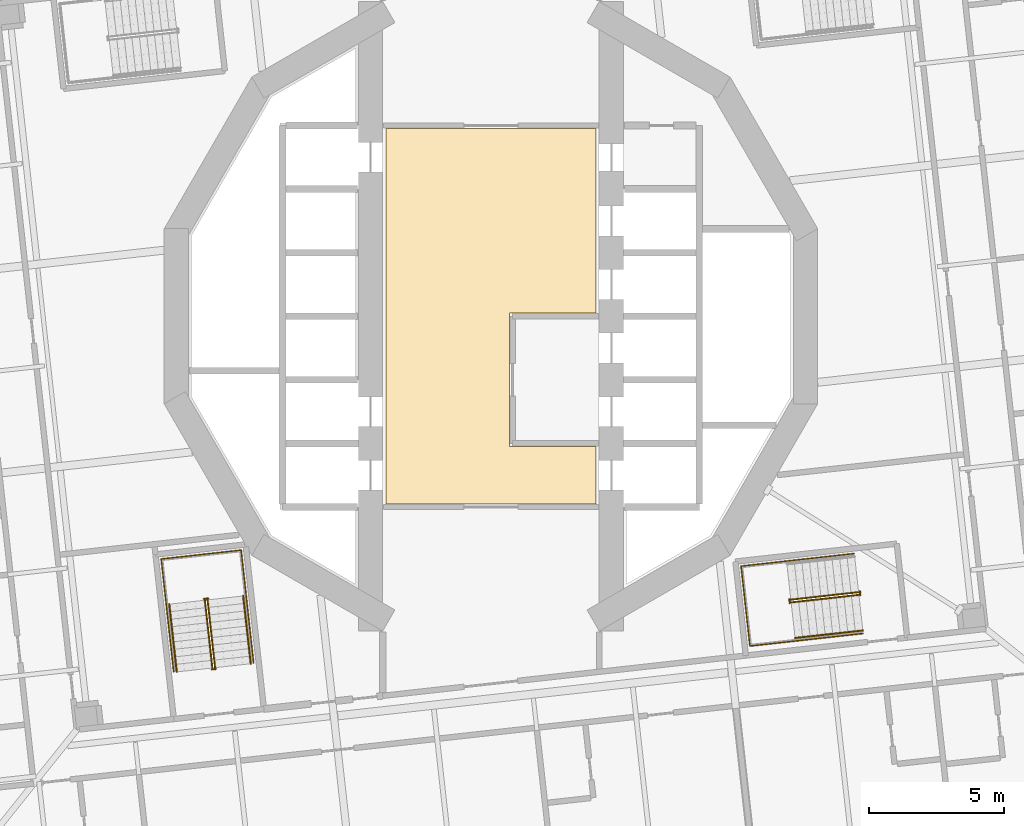
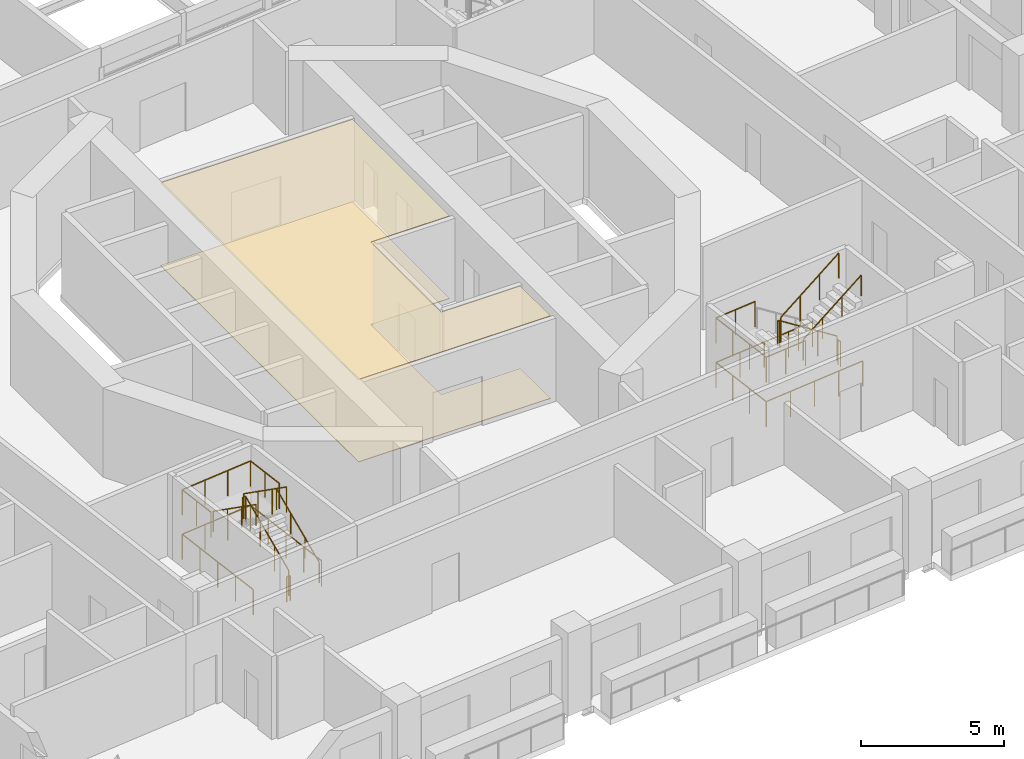
# One storey, part 16 of 20: 13 railings, 2 coverings.
"""IFC4 building model written with IfcOpenShell, lengths in metres."""

from ifc_helpers import new_model, si_unit, direction, frame, origin, origin_2d, place, context, subcontext, project, spatial, polyline, circle, outline, extrude, material, layer, layer_set, type_object, element, save


model = new_model("IFC4")

# Units and contexts
model_context = context("Model", 3, precision=1e-05, world=origin(), true_north=direction((0.0, 1.0)))
body_context = subcontext(model_context, "Body", "Model", "MODEL_VIEW")
ifc_project = project(units=[si_unit("LENGTHUNIT", "METRE"), si_unit("AREAUNIT", "SQUARE_METRE"), si_unit("VOLUMEUNIT", "CUBIC_METRE"), si_unit("PLANEANGLEUNIT", "RADIAN"), si_unit("MASSUNIT", "GRAM", prefix="KILO")], contexts=[model_context])

# Site, building, storey
site_placement = place(None, origin())
site = spatial("IfcSite", under=ifc_project, at=site_placement, CompositionType="ELEMENT")
building_placement = place(site_placement, origin())
building = spatial("IfcBuilding", under=site, at=building_placement, Name="Cantera Rosa Tower", CompositionType="ELEMENT")
storey_placement = place(building_placement, frame((0.0, 0.0, 50.10009765625)))
storey = spatial("IfcBuildingStorey", under=building, at=storey_placement, Name="L09", CompositionType="ELEMENT", Elevation=50.10009765625)

# Railings
ifc_material_1 = material(Name="Steel S355J2 (EN 10025-2)", Category="steel")
railing_type_1 = type_object("IfcRailingType", Name="STAIR GUARD 1100", PredefinedType="GUARDRAIL", material=ifc_material_1)
railing_1_placement = place(storey_placement, frame((-10.19677734375, -12.986083984375, 0.18994140625)))
element("IfcRailing", 1, at=railing_1_placement, inside=storey, type_object=railing_type_1, Name="L09 ST-13 stair guard 1", PredefinedType="GUARDRAIL", context=body_context, shape_type="SweptSolid", body=[
    extrude(circle(Radius=0.02392578125, at=origin_2d()), frame((0.0, 0.0, 1.076171875), z_axis=(-0.091310000343, 0.822431337597, 0.561488360321), x_axis=(-0.993893182753, -0.110346460196, 0.0)), (0.0, 0.0, 1.0), 3.04541015625),
    extrude(circle(Radius=0.02392578125, at=origin_2d()), frame((-0.278076171875, 2.504638671875, 2.7861328125), z_axis=(0.360141847183, 0.932897555956, 0.0), x_axis=(-0.932897555956, 0.360141847183, 0.0)), (0.0, 0.0, 1.0), 0.05615234375),
    extrude(circle(Radius=0.02392578125, at=origin_2d()), frame((-0.2578125, 2.55712890625, 2.7861328125), z_axis=(-0.994022053584, -0.109179471459, 0.0), x_axis=(0.109179471459, -0.994022053584, 0.0)), (0.0, 0.0, 1.0), 0.14990234375),
    extrude(circle(Radius=0.02099609375, at=origin_2d()), origin(), (0.0, 0.0, 1.0), 1.052001953125),
    extrude(circle(Radius=0.02099609375, at=origin_2d()), frame((-0.0927734375, 0.8349609375, 0.570068359375)), (0.0, 0.0, 1.0), 1.052001953125),
    extrude(circle(Radius=0.02099609375, at=origin_2d()), frame((-0.185302734375, 1.669677734375, 1.139892578125)), (0.0, 0.0, 1.0), 1.052001953125),
    extrude(circle(Radius=0.02099609375, at=origin_2d()), frame((-0.278076171875, 2.504638671875, 1.7099609375)), (0.0, 0.0, 1.0), 1.052001953125),
    extrude(circle(Radius=0.02099609375, at=origin_2d()), frame((-0.2578125, 2.55712890625, 1.7099609375)), (0.0, 0.0, 1.0), 1.052001953125),
    extrude(circle(Radius=0.02099609375, at=origin_2d()), frame((-0.40673828125, 2.540771484375, 1.7099609375)), (0.0, 0.0, 1.0), 1.052001953125),
])
railing_2_placement = place(storey_placement, frame((-10.572265625, -10.4921875, 2.08984375)))
element("IfcRailing", 2, at=railing_2_placement, inside=storey, type_object=railing_type_1, Name="L09 ST-13 stair guard 2", PredefinedType="GUARDRAIL", context=body_context, shape_type="SweptSolid", body=[
    extrude(circle(Radius=0.02392578125, at=origin_2d()), frame((0.0, 0.0, 1.076171875), z_axis=(0.091310000343, -0.822431337597, 0.561488360321), x_axis=(0.993893182753, 0.110346460196, 0.0)), (0.0, 0.0, 1.0), 3.04541015625),
    extrude(circle(Radius=0.02099609375, at=origin_2d()), origin(), (0.0, 0.0, 1.0), 1.052001953125),
    extrude(circle(Radius=0.02099609375, at=origin_2d()), frame((0.0927734375, -0.8349609375, 0.570068359375)), (0.0, 0.0, 1.0), 1.052001953125),
    extrude(circle(Radius=0.02099609375, at=origin_2d()), frame((0.185302734375, -1.669677734375, 1.139892578125)), (0.0, 0.0, 1.0), 1.052001953125),
    extrude(circle(Radius=0.02099609375, at=origin_2d()), frame((0.278076171875, -2.504638671875, 1.7099609375)), (0.0, 0.0, 1.0), 1.052001953125),
])
railing_3_placement = place(storey_placement, frame((-10.16552734375, -13.032958984375, 0.0)))
element("IfcRailing", 3, at=railing_3_placement, inside=storey, type_object=railing_type_1, Name="L09 ST-13 stair guard 3", PredefinedType="GUARDRAIL", context=body_context, shape_type="SweptSolid", body=[
    extrude(circle(Radius=0.02392578125, at=origin_2d()), frame((0.0, 0.0, 1.076171875), z_axis=(-0.994041430915, -0.1090029065, 0.0), x_axis=(0.1090029065, -0.994041430915, 0.0)), (0.0, 0.0, 1.0), 0.150146484375),
    extrude(circle(Radius=0.02099609375, at=origin_2d()), origin(), (0.0, 0.0, 1.0), 1.052001953125),
    extrude(circle(Radius=0.02099609375, at=origin_2d()), frame((-0.149169921875, -0.016357421875, 0.0)), (0.0, 0.0, 1.0), 1.052001953125),
])
railing_4_placement = place(storey_placement, frame((-8.77099609375, -12.815673828125, 0.0)))
element("IfcRailing", 4, at=railing_4_placement, inside=storey, type_object=railing_type_1, Name="L09 ST-13 stair guard 4", PredefinedType="GUARDRAIL", context=body_context, shape_type="SweptSolid", body=[
    extrude(circle(Radius=0.02392578125, at=origin_2d()), frame((0.0, 0.0, 1.076171875), z_axis=(-0.110323013767, 0.9938957856, 0.0), x_axis=(-0.9938957856, -0.110323013767, 0.0)), (0.0, 0.0, 1.0), 4.197998046875),
    extrude(circle(Radius=0.02392578125, at=origin_2d()), frame((-0.463134765625, 4.17236328125, 1.076171875), z_axis=(-0.993896759678, -0.110314237986, 0.0), x_axis=(0.110314237986, -0.993896759678, 0.0)), (0.0, 0.0, 1.0), 2.969970703125),
    extrude(circle(Radius=0.02392578125, at=origin_2d()), frame((-3.4150390625, 3.8447265625, 1.076171875), z_axis=(0.110323013767, -0.9938957856, 0.0), x_axis=(0.9938957856, 0.110323013767, 0.0)), (0.0, 0.0, 1.0), 4.197998046875),
    extrude(circle(Radius=0.02099609375, at=origin_2d()), origin(), (0.0, 0.0, 1.0), 1.052001953125),
    extrude(circle(Radius=0.02099609375, at=origin_2d()), frame((-0.11572265625, 1.04296875, 0.0)), (0.0, 0.0, 1.0), 1.052001953125),
    extrude(circle(Radius=0.02099609375, at=origin_2d()), frame((-0.2314453125, 2.086181640625, 0.0)), (0.0, 0.0, 1.0), 1.052001953125),
    extrude(circle(Radius=0.02099609375, at=origin_2d()), frame((-0.347412109375, 3.12939453125, 0.0)), (0.0, 0.0, 1.0), 1.052001953125),
    extrude(circle(Radius=0.02099609375, at=origin_2d()), frame((-0.463134765625, 4.17236328125, 0.0)), (0.0, 0.0, 1.0), 1.052001953125),
    extrude(circle(Radius=0.02099609375, at=origin_2d()), frame((-1.447021484375, 4.063232421875, 0.0)), (0.0, 0.0, 1.0), 1.052001953125),
    extrude(circle(Radius=0.02099609375, at=origin_2d()), frame((-2.43115234375, 3.953857421875, 0.0)), (0.0, 0.0, 1.0), 1.052001953125),
    extrude(circle(Radius=0.02099609375, at=origin_2d()), frame((-3.4150390625, 3.8447265625, 0.0)), (0.0, 0.0, 1.0), 1.052001953125),
    extrude(circle(Radius=0.02099609375, at=origin_2d()), frame((-3.29931640625, 2.8017578125, 0.0)), (0.0, 0.0, 1.0), 1.052001953125),
    extrude(circle(Radius=0.02099609375, at=origin_2d()), frame((-3.18359375, 1.758544921875, 0.0)), (0.0, 0.0, 1.0), 1.052001953125),
    extrude(circle(Radius=0.02099609375, at=origin_2d()), frame((-3.067626953125, 0.71533203125, 0.0)), (0.0, 0.0, 1.0), 1.052001953125),
    extrude(circle(Radius=0.02099609375, at=origin_2d()), frame((-2.951904296875, -0.32763671875, 0.0)), (0.0, 0.0, 1.0), 1.052001953125),
])
railing_5_placement = place(storey_placement, frame((-9.04638671875, -10.3349609375, 1.89990234375)))
element("IfcRailing", 5, at=railing_5_placement, inside=storey, type_object=railing_type_1, Name="L09 ST-13 stair guard 5", PredefinedType="GUARDRAIL", context=body_context, shape_type="SweptSolid", body=[
    extrude(circle(Radius=0.02392578125, at=origin_2d()), frame((0.0, 0.0, 1.076171875), z_axis=(-0.110305577623, 0.993897720867, 0.0), x_axis=(-0.993897720867, -0.110305577623, 0.0)), (0.0, 0.0, 1.0), 1.7021484375),
    extrude(circle(Radius=0.02392578125, at=origin_2d()), frame((-0.187744140625, 1.691650390625, 1.076171875), z_axis=(-0.993896759678, -0.110314237986, 0.0), x_axis=(0.110314237986, -0.993896759678, 0.0)), (0.0, 0.0, 1.0), 2.969970703125),
    extrude(circle(Radius=0.02392578125, at=origin_2d()), frame((-3.1396484375, 1.364013671875, 1.076171875), z_axis=(0.110447269257, -0.993881985305, 0.0), x_axis=(0.993881985305, 0.110447269257, 0.0)), (0.0, 0.0, 1.0), 1.7021484375),
    extrude(circle(Radius=0.02099609375, at=origin_2d()), origin(), (0.0, 0.0, 1.0), 1.052001953125),
    extrude(circle(Radius=0.02099609375, at=origin_2d()), frame((-0.09375, 0.845703125, 0.0)), (0.0, 0.0, 1.0), 1.052001953125),
    extrude(circle(Radius=0.02099609375, at=origin_2d()), frame((-0.187744140625, 1.691650390625, 0.0)), (0.0, 0.0, 1.0), 1.052001953125),
    extrude(circle(Radius=0.02099609375, at=origin_2d()), frame((-1.171630859375, 1.58251953125, 0.0)), (0.0, 0.0, 1.0), 1.052001953125),
    extrude(circle(Radius=0.02099609375, at=origin_2d()), frame((-2.15576171875, 1.47314453125, 0.0)), (0.0, 0.0, 1.0), 1.052001953125),
    extrude(circle(Radius=0.02099609375, at=origin_2d()), frame((-3.1396484375, 1.364013671875, 0.0)), (0.0, 0.0, 1.0), 1.052001953125),
    extrude(circle(Radius=0.02099609375, at=origin_2d()), frame((-3.045654296875, 0.51806640625, 0.0)), (0.0, 0.0, 1.0), 1.052001953125),
    extrude(circle(Radius=0.02099609375, at=origin_2d()), frame((-2.95166015625, -0.32763671875, 0.0)), (0.0, 0.0, 1.0), 1.052001953125),
])
railing_6_placement = place(storey_placement, frame((13.5859375, -10.19677734375, 0.18994140625)))
element("IfcRailing", 6, at=railing_6_placement, inside=storey, type_object=railing_type_1, Name="L09 ST-14 stair guard 1", PredefinedType="GUARDRAIL", context=body_context, shape_type="SweptSolid", body=[
    extrude(circle(Radius=0.02392578125, at=origin_2d()), frame((0.0, 0.0, 1.076171875), z_axis=(-0.822405392514, -0.091316020869, 0.561525382059), x_axis=(0.110357086308, -0.993892002937, 0.0)), (0.0, 0.0, 1.0), 3.045166015625),
    extrude(circle(Radius=0.02392578125, at=origin_2d()), frame((-2.50439453125, -0.278076171875, 2.7861328125), z_axis=(-0.933456941688, 0.358689472963, 0.0), x_axis=(-0.358689472963, -0.933456941688, 0.0)), (0.0, 0.0, 1.0), 0.056396484375),
    extrude(circle(Radius=0.02392578125, at=origin_2d()), frame((-2.55712890625, -0.2578125, 2.7861328125), z_axis=(0.110789159685, -0.993843932464, 0.0), x_axis=(0.993843932464, 0.110789159685, 0.0)), (0.0, 0.0, 1.0), 0.14990234375),
    extrude(circle(Radius=0.02099609375, at=origin_2d()), origin(), (0.0, 0.0, 1.0), 1.052001953125),
    extrude(circle(Radius=0.02099609375, at=origin_2d()), frame((-0.834716796875, -0.0927734375, 0.570068359375)), (0.0, 0.0, 1.0), 1.052001953125),
    extrude(circle(Radius=0.02099609375, at=origin_2d()), frame((-1.669677734375, -0.185302734375, 1.139892578125)), (0.0, 0.0, 1.0), 1.052001953125),
    extrude(circle(Radius=0.02099609375, at=origin_2d()), frame((-2.50439453125, -0.278076171875, 1.7099609375)), (0.0, 0.0, 1.0), 1.052001953125),
    extrude(circle(Radius=0.02099609375, at=origin_2d()), frame((-2.55712890625, -0.2578125, 1.7099609375)), (0.0, 0.0, 1.0), 1.052001953125),
    extrude(circle(Radius=0.02099609375, at=origin_2d()), frame((-2.54052734375, -0.40673828125, 1.7099609375)), (0.0, 0.0, 1.0), 1.052001953125),
])
railing_7_placement = place(storey_placement, frame((11.09228515625, -10.572265625, 2.08984375)))
element("IfcRailing", 7, at=railing_7_placement, inside=storey, type_object=railing_type_1, Name="L09 ST-14 stair guard 2", PredefinedType="GUARDRAIL", context=body_context, shape_type="SweptSolid", body=[
    extrude(circle(Radius=0.02392578125, at=origin_2d()), frame((0.0, 0.0, 1.076171875), z_axis=(0.822431337597, 0.091310000343, 0.561488360321), x_axis=(-0.110346460196, 0.993893182753, 0.0)), (0.0, 0.0, 1.0), 3.04541015625),
    extrude(circle(Radius=0.02099609375, at=origin_2d()), origin(), (0.0, 0.0, 1.0), 1.052001953125),
    extrude(circle(Radius=0.02099609375, at=origin_2d()), frame((0.8349609375, 0.0927734375, 0.570068359375)), (0.0, 0.0, 1.0), 1.052001953125),
    extrude(circle(Radius=0.02099609375, at=origin_2d()), frame((1.669677734375, 0.185302734375, 1.139892578125)), (0.0, 0.0, 1.0), 1.052001953125),
    extrude(circle(Radius=0.02099609375, at=origin_2d()), frame((2.504638671875, 0.278076171875, 1.7099609375)), (0.0, 0.0, 1.0), 1.052001953125),
])
railing_8_placement = place(storey_placement, frame((13.6328125, -10.16552734375, 0.0)))
element("IfcRailing", 8, at=railing_8_placement, inside=storey, type_object=railing_type_1, Name="L09 ST-14 stair guard 3", PredefinedType="GUARDRAIL", context=body_context, shape_type="SweptSolid", body=[
    extrude(circle(Radius=0.02392578125, at=origin_2d()), frame((0.0, 0.0, 1.076171875), z_axis=(0.110610055588, -0.993863881828, 0.0), x_axis=(0.993863881828, 0.110610055588, 0.0)), (0.0, 0.0, 1.0), 0.150146484375),
    extrude(circle(Radius=0.02099609375, at=origin_2d()), origin(), (0.0, 0.0, 1.0), 1.052001953125),
    extrude(circle(Radius=0.02099609375, at=origin_2d()), frame((0.0166015625, -0.149169921875, 0.0)), (0.0, 0.0, 1.0), 1.052001953125),
])
railing_9_placement = place(storey_placement, frame((13.415771484375, -8.77099609375, 0.0)))
element("IfcRailing", 9, at=railing_9_placement, inside=storey, type_object=railing_type_1, Name="L09 ST-14 stair guard 4", PredefinedType="GUARDRAIL", context=body_context, shape_type="SweptSolid", body=[
    extrude(circle(Radius=0.02392578125, at=origin_2d()), frame((0.0, 0.0, 1.076171875), z_axis=(-0.9938957856, -0.110323013767, 0.0), x_axis=(0.110323013767, -0.9938957856, 0.0)), (0.0, 0.0, 1.0), 4.197998046875),
    extrude(circle(Radius=0.02392578125, at=origin_2d()), frame((-4.17236328125, -0.463134765625, 1.076171875), z_axis=(0.110314237986, -0.993896759678, 0.0), x_axis=(0.993896759678, 0.110314237986, 0.0)), (0.0, 0.0, 1.0), 2.969970703125),
    extrude(circle(Radius=0.02392578125, at=origin_2d()), frame((-3.8447265625, -3.4150390625, 1.076171875), z_axis=(0.9938957856, 0.110323013767, 0.0), x_axis=(-0.110323013767, 0.9938957856, 0.0)), (0.0, 0.0, 1.0), 4.197998046875),
    extrude(circle(Radius=0.02099609375, at=origin_2d()), origin(), (0.0, 0.0, 1.0), 1.052001953125),
    extrude(circle(Radius=0.02099609375, at=origin_2d()), frame((-1.04296875, -0.11572265625, 0.0)), (0.0, 0.0, 1.0), 1.052001953125),
    extrude(circle(Radius=0.02099609375, at=origin_2d()), frame((-2.086181640625, -0.2314453125, 0.0)), (0.0, 0.0, 1.0), 1.052001953125),
    extrude(circle(Radius=0.02099609375, at=origin_2d()), frame((-3.12939453125, -0.347412109375, 0.0)), (0.0, 0.0, 1.0), 1.052001953125),
    extrude(circle(Radius=0.02099609375, at=origin_2d()), frame((-4.17236328125, -0.463134765625, 0.0)), (0.0, 0.0, 1.0), 1.052001953125),
    extrude(circle(Radius=0.02099609375, at=origin_2d()), frame((-4.063232421875, -1.447021484375, 0.0)), (0.0, 0.0, 1.0), 1.052001953125),
    extrude(circle(Radius=0.02099609375, at=origin_2d()), frame((-3.953857421875, -2.43115234375, 0.0)), (0.0, 0.0, 1.0), 1.052001953125),
    extrude(circle(Radius=0.02099609375, at=origin_2d()), frame((-3.8447265625, -3.4150390625, 0.0)), (0.0, 0.0, 1.0), 1.052001953125),
    extrude(circle(Radius=0.02099609375, at=origin_2d()), frame((-2.8017578125, -3.29931640625, 0.0)), (0.0, 0.0, 1.0), 1.052001953125),
    extrude(circle(Radius=0.02099609375, at=origin_2d()), frame((-1.758544921875, -3.18359375, 0.0)), (0.0, 0.0, 1.0), 1.052001953125),
    extrude(circle(Radius=0.02099609375, at=origin_2d()), frame((-0.71533203125, -3.067626953125, 0.0)), (0.0, 0.0, 1.0), 1.052001953125),
    extrude(circle(Radius=0.02099609375, at=origin_2d()), frame((0.32763671875, -2.951904296875, 0.0)), (0.0, 0.0, 1.0), 1.052001953125),
])
railing_10_placement = place(storey_placement, frame((10.93505859375, -9.04638671875, 1.89990234375)))
element("IfcRailing", 10, at=railing_10_placement, inside=storey, type_object=railing_type_1, Name="L09 ST-14 stair guard 5", PredefinedType="GUARDRAIL", context=body_context, shape_type="SweptSolid", body=[
    extrude(circle(Radius=0.02392578125, at=origin_2d()), frame((0.0, 0.0, 1.076171875), z_axis=(-0.993897720867, -0.110305577623, 0.0), x_axis=(0.110305577623, -0.993897720867, 0.0)), (0.0, 0.0, 1.0), 1.7021484375),
    extrude(circle(Radius=0.02392578125, at=origin_2d()), frame((-1.691650390625, -0.187744140625, 1.076171875), z_axis=(0.110314237986, -0.993896759678, 0.0), x_axis=(0.993896759678, 0.110314237986, 0.0)), (0.0, 0.0, 1.0), 2.969970703125),
    extrude(circle(Radius=0.02392578125, at=origin_2d()), frame((-1.364013671875, -3.1396484375, 1.076171875), z_axis=(0.993881985305, 0.110447269257, 0.0), x_axis=(-0.110447269257, 0.993881985305, 0.0)), (0.0, 0.0, 1.0), 1.7021484375),
    extrude(circle(Radius=0.02099609375, at=origin_2d()), origin(), (0.0, 0.0, 1.0), 1.052001953125),
    extrude(circle(Radius=0.02099609375, at=origin_2d()), frame((-0.845703125, -0.09375, 0.0)), (0.0, 0.0, 1.0), 1.052001953125),
    extrude(circle(Radius=0.02099609375, at=origin_2d()), frame((-1.691650390625, -0.187744140625, 0.0)), (0.0, 0.0, 1.0), 1.052001953125),
    extrude(circle(Radius=0.02099609375, at=origin_2d()), frame((-1.58251953125, -1.171630859375, 0.0)), (0.0, 0.0, 1.0), 1.052001953125),
    extrude(circle(Radius=0.02099609375, at=origin_2d()), frame((-1.47314453125, -2.15576171875, 0.0)), (0.0, 0.0, 1.0), 1.052001953125),
    extrude(circle(Radius=0.02099609375, at=origin_2d()), frame((-1.364013671875, -3.1396484375, 0.0)), (0.0, 0.0, 1.0), 1.052001953125),
    extrude(circle(Radius=0.02099609375, at=origin_2d()), frame((-0.51806640625, -3.045654296875, 0.0)), (0.0, 0.0, 1.0), 1.052001953125),
    extrude(circle(Radius=0.02099609375, at=origin_2d()), frame((0.32763671875, -2.95166015625, 0.0)), (0.0, 0.0, 1.0), 1.052001953125),
])
ifc_material_2 = material(Name="Steel S355J2 (EN 10025-2)", Category="steel")
railing_type_2 = type_object("IfcRailingType", Name="STAIR HANDRAIL 900", PredefinedType="HANDRAIL", material=ifc_material_2)
railing_11_placement = place(storey_placement, frame((-8.87890625, -12.83984375, 0.18994140625)))
element("IfcRailing", 11, at=railing_11_placement, inside=storey, type_object=railing_type_2, Name="L09 ST-13 stair handrail 1", PredefinedType="HANDRAIL", context=body_context, shape_type="SweptSolid", body=[
    extrude(circle(Radius=0.02392578125, at=origin_2d()), frame((0.0, 0.0, 0.8759765625), z_axis=(-0.091310000343, 0.822431337597, 0.561488360321), x_axis=(-0.993893182753, -0.110346460196, 0.0)), (0.0, 0.0, 1.0), 3.04541015625),
    extrude(circle(Radius=0.02099609375, at=origin_2d()), origin(), (0.0, 0.0, 1.0), 0.851806640625),
    extrude(circle(Radius=0.02099609375, at=origin_2d()), frame((-0.0927734375, 0.8349609375, 0.570068359375)), (0.0, 0.0, 1.0), 0.851806640625),
    extrude(circle(Radius=0.02099609375, at=origin_2d()), frame((-0.185302734375, 1.669677734375, 1.139892578125)), (0.0, 0.0, 1.0), 0.851806640625),
    extrude(circle(Radius=0.02099609375, at=origin_2d()), frame((-0.278076171875, 2.504638671875, 1.7099609375)), (0.0, 0.0, 1.0), 0.851806640625),
])
railing_12_placement = place(storey_placement, frame((-11.89013671875, -10.638427734375, 2.08984375)))
element("IfcRailing", 12, at=railing_12_placement, inside=storey, type_object=railing_type_2, Name="L09 ST-13 stair handrail 2", PredefinedType="HANDRAIL", context=body_context, shape_type="SweptSolid", body=[
    extrude(circle(Radius=0.02392578125, at=origin_2d()), frame((0.0, 0.0, 0.8759765625), z_axis=(0.091310000343, -0.822431337597, 0.561488360321), x_axis=(0.993893182753, 0.110346460196, 0.0)), (0.0, 0.0, 1.0), 3.04541015625),
    extrude(circle(Radius=0.02099609375, at=origin_2d()), origin(), (0.0, 0.0, 1.0), 0.851806640625),
    extrude(circle(Radius=0.02099609375, at=origin_2d()), frame((0.0927734375, -0.8349609375, 0.570068359375)), (0.0, 0.0, 1.0), 0.851806640625),
    extrude(circle(Radius=0.02099609375, at=origin_2d()), frame((0.185302734375, -1.669677734375, 1.139892578125)), (0.0, 0.0, 1.0), 0.851806640625),
    extrude(circle(Radius=0.02099609375, at=origin_2d()), frame((0.278076171875, -2.504638671875, 1.7099609375)), (0.0, 0.0, 1.0), 0.851806640625),
])
railing_13_placement = place(storey_placement, frame((11.238525390625, -11.89013671875, 2.08984375)))
element("IfcRailing", 13, at=railing_13_placement, inside=storey, type_object=railing_type_2, Name="L09 ST-14 stair handrail 2", PredefinedType="HANDRAIL", context=body_context, shape_type="SweptSolid", body=[
    extrude(circle(Radius=0.02392578125, at=origin_2d()), frame((0.0, 0.0, 0.8759765625), z_axis=(0.822431337597, 0.091310000343, 0.561488360321), x_axis=(-0.110346460196, 0.993893182753, 0.0)), (0.0, 0.0, 1.0), 3.04541015625),
    extrude(circle(Radius=0.02099609375, at=origin_2d()), origin(), (0.0, 0.0, 1.0), 0.851806640625),
    extrude(circle(Radius=0.02099609375, at=origin_2d()), frame((0.8349609375, 0.0927734375, 0.570068359375)), (0.0, 0.0, 1.0), 0.851806640625),
    extrude(circle(Radius=0.02099609375, at=origin_2d()), frame((1.669677734375, 0.185302734375, 1.139892578125)), (0.0, 0.0, 1.0), 0.851806640625),
    extrude(circle(Radius=0.02099609375, at=origin_2d()), frame((2.504638671875, 0.278076171875, 1.7099609375)), (0.0, 0.0, 1.0), 0.851806640625),
])

# Coverings
ifc_material_3 = material(Name="Limestone paving", Category="masonry")
ifc_layer_1 = layer(ifc_material_3, 0.02490234375)
ifc_layer_set_1 = layer_set([ifc_layer_1], Name="STONE FLOOR FINISH 25")
covering_type_1 = type_object("IfcCoveringType", Name="STONE FLOOR FINISH 25", PredefinedType="FLOORING", material=ifc_layer_set_1)
covering_1_placement = place(storey_placement, origin())
element("IfcCovering", 14, at=covering_1_placement, inside=storey, type_object=covering_type_1, Name="STONE FLOOR FINISH L09", PredefinedType="FLOORING", context=body_context, shape_type="SweptSolid", body=[
    extrude(outline(polyline([(3.8798828125, 6.929931640625), (3.8798828125, 0.1201171875), (0.679931640625, 0.1201171875), (0.679931640625, -4.820068359375), (3.8798828125, -4.820068359375), (3.8798828125, -6.929931640625), (-3.8798828125, -6.929931640625), (-3.8798828125, 6.929931640625), (3.8798828125, 6.929931640625)])), origin(), (0.0, 0.0, 1.0), 0.02490234375),
])
ifc_material_4 = material(Name="Gypsum ceiling tile")
ifc_layer_2 = layer(ifc_material_4, 0.030029296875)
ifc_layer_set_2 = layer_set([ifc_layer_2], Name="SUSPENDED CEILING 30")
covering_type_2 = type_object("IfcCoveringType", Name="SUSPENDED CEILING 30", PredefinedType="CEILING", material=ifc_layer_set_2)
covering_2_placement = place(storey_placement, frame((0.0, 0.0, 3.52001953125)))
element("IfcCovering", 15, at=covering_2_placement, inside=storey, type_object=covering_type_2, Name="SUSPENDED CEILING L09", PredefinedType="CEILING", context=body_context, shape_type="SweptSolid", body=[
    extrude(outline(polyline([(3.8798828125, 6.929931640625), (3.8798828125, 0.1201171875), (0.679931640625, 0.1201171875), (0.679931640625, -4.820068359375), (3.8798828125, -4.820068359375), (3.8798828125, -6.929931640625), (-3.8798828125, -6.929931640625), (-3.8798828125, 6.929931640625), (3.8798828125, 6.929931640625)])), origin(), (0.0, 0.0, 1.0), 0.02978515625),
])

save(model, "model.ifc")
